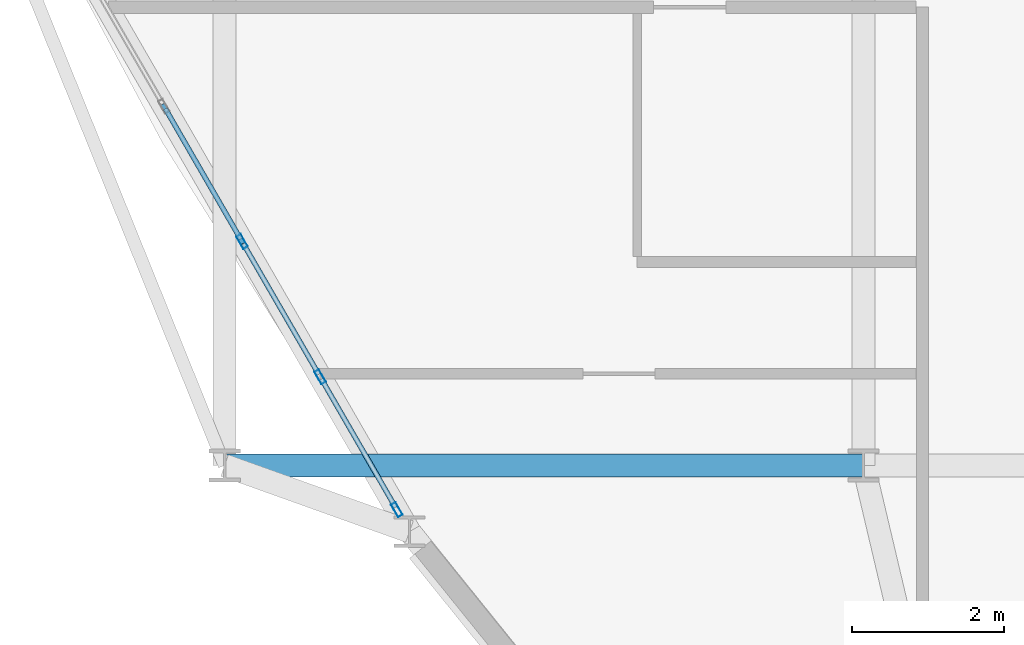
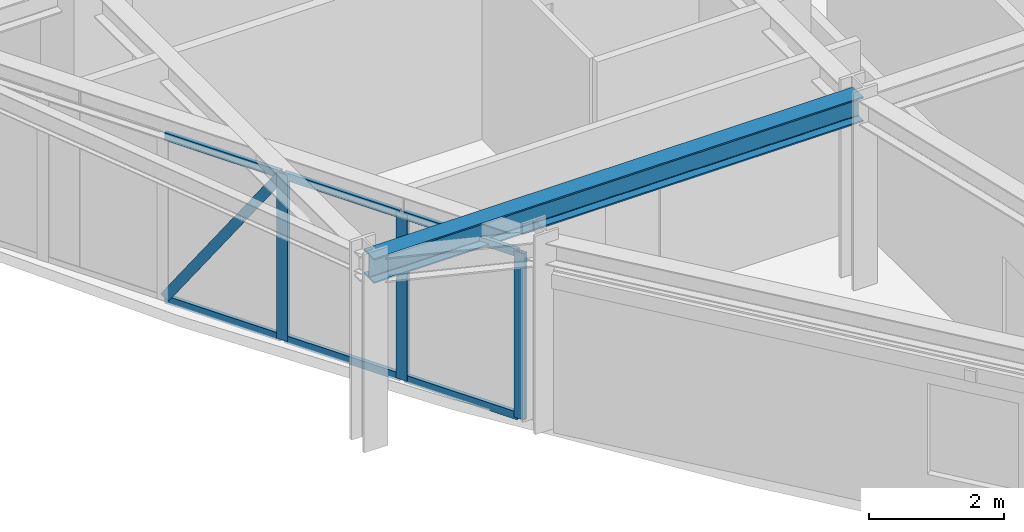
# One storey, part 2 of 16: 10 members, 1 beam, 1 element without a shape of its own.
"""IFC4 building model written with IfcOpenShell, lengths in metres."""

from ifc_helpers import new_model, si_unit, derived_unit, direction, frame, origin, origin_2d, place, context, subcontext, project, spatial, hollow_rectangle, i_section, extrude, source, transform, mapped, material, layer, layer_set, material_profile, profile_set, type_object, element, aggregate, save


model = new_model("IFC4")

# Units and contexts
model_context = context("Model", 3, precision=1e-05, world=origin(), true_north=direction((0.0, 1.0)))
body_context = subcontext(model_context, "Body", "Model", "MODEL_VIEW")
ifc_project = project(units=[si_unit("LENGTHUNIT", "METRE"), si_unit("AREAUNIT", "SQUARE_METRE"), si_unit("VOLUMEUNIT", "CUBIC_METRE"), si_unit("PLANEANGLEUNIT", "RADIAN"), si_unit("MASSUNIT", "GRAM", prefix="KILO"), derived_unit("THERMALTRANSMITTANCEUNIT", [(si_unit("POWERUNIT", "WATT"), 1), (si_unit("LENGTHUNIT", "METRE"), -2), (si_unit("THERMODYNAMICTEMPERATUREUNIT", "KELVIN"), -1)])], contexts=[model_context])

# Site, building, storey
site_placement = place(None, origin())
site = spatial("IfcSite", under=ifc_project, at=site_placement, CompositionType="ELEMENT")
building_placement = place(site_placement, origin())
building = spatial("IfcBuilding", under=site, at=building_placement, Name="Korsvarv Bourse and Concert Hall", CompositionType="ELEMENT")
storey_placement = place(building_placement, frame((0.0, 0.0, 231.0)))
storey = spatial("IfcBuildingStorey", under=building, at=storey_placement, Name="L60", CompositionType="ELEMENT", Elevation=231.0)

# Beam
ifc_material_1 = material(Name="Steel S355", Category="steel")
ifc_material_profile_1 = material_profile(ifc_material_1, i_section(OverallWidth=0.300048828125, OverallDepth=0.449951171875, WebThickness=0.013916015625, FlangeThickness=0.02587890625, FilletRadius=0.02099609375, at=origin_2d()), Name="HEB 450")
ifc_profile_set_1 = profile_set([ifc_material_profile_1], Name="Steel S355")
beam_type = type_object("IfcBeamType", Name="BM-HEB450", PredefinedType="SPANDREL", material=ifc_profile_set_1)
shared_shape_1 = source(origin(), body_context, "Body", "SweptSolid", [
    extrude(i_section(OverallWidth=0.300048828125, OverallDepth=0.449951171875, WebThickness=0.013916015625, FlangeThickness=0.02587890625, FilletRadius=0.02099609375, at=origin_2d()), origin(), (0.0, 0.0, 1.0), 8.39990234375),
])
beam_placement = place(storey_placement, frame((27.60009765625, 24.0, 3.18505859375), z_axis=(1.0, 0.0, 0.0), x_axis=(0.0, 1.0, 0.0)))
element("IfcBeam", 1, at=beam_placement, inside=storey, type_object=beam_type, Name="L60 beam B-08", PredefinedType="SPANDREL", context=body_context, shape_type="MappedRepresentation", body=[
    mapped(shared_shape_1, transform((0.0, 0.0, 0.0), scale=1.0)),
])

# Curtain wall, members
ifc_material_2 = material(Name="Anodised aluminium and triple low-E glazing", Category="glass")
ifc_layer = layer(ifc_material_2, 0.199951171875)
ifc_layer_set = layer_set([ifc_layer], Name="Anodised aluminium and triple low-E glazing")
curtain_wall_type = type_object("IfcCurtainWallType", Name="CW-SYS-3", PredefinedType="NOTDEFINED", material=ifc_layer_set)
curtain_wall_placement = place(storey_placement, origin())
curtain_wall = element("IfcCurtainWall", 2, at=curtain_wall_placement, inside=storey, type_object=curtain_wall_type, Name="L60 CW3 curtain wall CW-L60-F07-2", PredefinedType="NOTDEFINED")
ifc_material_3 = material(Name="Extruded aluminium EN AW-6063 T66", Category="aluminium")
ifc_material_profile_2 = material_profile(ifc_material_3, hollow_rectangle(XDim=0.070068359375, YDim=0.18994140625, WallThickness=0.0048828125, at=origin_2d()), Name="ALU-M 70x190")
ifc_profile_set_2 = profile_set([ifc_material_profile_2], Name="Extruded aluminium EN AW-6063 T66")
member_type_1 = type_object("IfcMemberType", Name="CWM-190", PredefinedType="MULLION", material=ifc_profile_set_2)
shared_shape_2 = source(origin(), body_context, "Body", "SweptSolid", [
    extrude(hollow_rectangle(XDim=0.070068359375, YDim=0.18994140625, WallThickness=0.0048828125, at=origin_2d()), origin(), (0.0, 0.0, 1.0), 3.02001953125),
])
member_1_placement = place(storey_placement, frame((27.82958984375, 26.94384765625, 0.0), z_axis=(0.0, 0.0, 1.0), x_axis=(0.866025472463, 0.499999881045, 0.0)))
member_1 = element("IfcMember", 3, at=member_1_placement, type_object=member_type_1, Name="CW3 mullion 4", PredefinedType="MULLION", context=body_context, shape_type="MappedRepresentation", body=[
    mapped(shared_shape_2, transform((0.0, 0.0, 0.0), scale=1.0)),
])
member_2_placement = place(storey_placement, frame((28.856201171875, 25.165771484375, 0.0), z_axis=(0.0, 0.0, 1.0), x_axis=(0.866025472463, 0.499999881045, 0.0)))
member_2 = element("IfcMember", 4, at=member_2_placement, type_object=member_type_1, Name="CW3 mullion 5", PredefinedType="MULLION", context=body_context, shape_type="MappedRepresentation", body=[
    mapped(shared_shape_2, transform((0.0, 0.0, 0.0), scale=1.0)),
])
member_3_placement = place(storey_placement, frame((29.865234375, 23.418212890625, 0.0), z_axis=(0.0, 0.0, 1.0), x_axis=(0.866025472463, 0.499999881045, 0.0)))
member_3 = element("IfcMember", 5, at=member_3_placement, type_object=member_type_1, Name="CW3 mullion 6", PredefinedType="MULLION", context=body_context, shape_type="MappedRepresentation", body=[
    mapped(shared_shape_2, transform((0.0, 0.0, 0.0), scale=1.0)),
])
ifc_material_profile_3 = material_profile(ifc_material_3, hollow_rectangle(XDim=0.06494140625, YDim=0.139892578125, WallThickness=0.00390625, at=origin_2d()), Name="ALU-T 65x140")
ifc_profile_set_3 = profile_set([ifc_material_profile_3], Name="Extruded aluminium EN AW-6063 T66")
member_type_2 = type_object("IfcMemberType", Name="CWT-140", PredefinedType="USERDEFINED", material=ifc_profile_set_3)
shared_shape_3 = source(origin(), body_context, "Body", "SweptSolid", [
    extrude(hollow_rectangle(XDim=0.06494140625, YDim=0.139892578125, WallThickness=0.00390625, at=origin_2d()), origin(), (0.0, 0.0, 1.0), 1.947998046875),
])
member_4_placement = place(storey_placement, frame((28.873779296875, 25.135498046875, 0.032470703125), z_axis=(0.499953905513, -0.866052014814, 0.0), x_axis=(0.866052014814, 0.499953905513, 0.0)))
member_4 = element("IfcMember", 6, at=member_4_placement, type_object=member_type_2, Name="CW3 transom 5.1", ObjectType="TRANSOM", PredefinedType="USERDEFINED", context=body_context, shape_type="MappedRepresentation", body=[
    mapped(shared_shape_3, transform((0.0, 0.0, 0.0), scale=1.0)),
])
member_5_placement = place(storey_placement, frame((28.873779296875, 25.135498046875, 2.987548828125), z_axis=(0.499953905513, -0.866052014814, 0.0), x_axis=(0.866052014814, 0.499953905513, 0.0)))
member_5 = element("IfcMember", 7, at=member_5_placement, type_object=member_type_2, Name="CW3 transom 5.2", ObjectType="TRANSOM", PredefinedType="USERDEFINED", context=body_context, shape_type="MappedRepresentation", body=[
    mapped(shared_shape_3, transform((0.0, 0.0, 0.0), scale=1.0)),
])
shared_shape_4 = source(origin(), body_context, "Body", "SweptSolid", [
    extrude(hollow_rectangle(XDim=0.06494140625, YDim=0.139892578125, WallThickness=0.00390625, at=origin_2d()), origin(), (0.0, 0.0, 1.0), 1.983154296875),
])
member_6_placement = place(storey_placement, frame((26.820556640625, 28.691650390625, 0.032470703125), z_axis=(0.499939139662, -0.866060538666, 0.0), x_axis=(0.866060538666, 0.499939139662, 0.0)))
member_6 = element("IfcMember", 8, at=member_6_placement, type_object=member_type_2, Name="CW3 transom 3.1", ObjectType="TRANSOM", PredefinedType="USERDEFINED", context=body_context, shape_type="MappedRepresentation", body=[
    mapped(shared_shape_4, transform((0.0, 0.0, 0.0), scale=1.0)),
])
member_7_placement = place(storey_placement, frame((26.820556640625, 28.691650390625, 2.987548828125), z_axis=(0.499939139662, -0.866060538666, 0.0), x_axis=(0.866060538666, 0.499939139662, 0.0)))
member_7 = element("IfcMember", 9, at=member_7_placement, type_object=member_type_2, Name="CW3 transom 3.2", ObjectType="TRANSOM", PredefinedType="USERDEFINED", context=body_context, shape_type="MappedRepresentation", body=[
    mapped(shared_shape_4, transform((0.0, 0.0, 0.0), scale=1.0)),
])
member_8_placement = place(storey_placement, frame((27.84716796875, 26.91357421875, 0.032470703125), z_axis=(0.499939139662, -0.866060538666, 0.0), x_axis=(0.866060538666, 0.499939139662, 0.0)))
member_8 = element("IfcMember", 10, at=member_8_placement, type_object=member_type_2, Name="CW3 transom 4.1", ObjectType="TRANSOM", PredefinedType="USERDEFINED", context=body_context, shape_type="MappedRepresentation", body=[
    mapped(shared_shape_4, transform((0.0, 0.0, 0.0), scale=1.0)),
])
member_9_placement = place(storey_placement, frame((27.84716796875, 26.91357421875, 2.987548828125), z_axis=(0.499939139662, -0.866060538666, 0.0), x_axis=(0.866060538666, 0.499939139662, 0.0)))
member_9 = element("IfcMember", 11, at=member_9_placement, type_object=member_type_2, Name="CW3 transom 4.2", ObjectType="TRANSOM", PredefinedType="USERDEFINED", context=body_context, shape_type="MappedRepresentation", body=[
    mapped(shared_shape_4, transform((0.0, 0.0, 0.0), scale=1.0)),
])
ifc_material_profile_4 = material_profile(ifc_material_3, hollow_rectangle(XDim=0.06494140625, YDim=0.1650390625, WallThickness=0.0048828125, at=origin_2d()), Name="ALU-M 65x165")
ifc_profile_set_4 = profile_set([ifc_material_profile_4], Name="Extruded aluminium EN AW-6063 T66")
member_type_3 = type_object("IfcMemberType", Name="CWM-165", PredefinedType="MULLION", material=ifc_profile_set_4)
shared_shape_5 = source(origin(), body_context, "Body", "SweptSolid", [
    extrude(hollow_rectangle(XDim=0.06494140625, YDim=0.1650390625, WallThickness=0.0048828125, at=origin_2d()), origin(), (0.0, 0.0, 1.0), 3.505126953125),
])
member_10_placement = place(storey_placement, frame((26.820556640625, 28.691650390625, 0.06494140625), z_axis=(0.282860085906, -0.490007560785, 0.824550036186), x_axis=(0.866060538666, 0.499939139662, 0.0)))
member_10 = element("IfcMember", 12, at=member_10_placement, type_object=member_type_3, Name="CW3 diagonal mullion 3", PredefinedType="MULLION", context=body_context, shape_type="MappedRepresentation", body=[
    mapped(shared_shape_5, transform((0.0, 0.0, 0.0), scale=1.0)),
])
aggregate(curtain_wall, [member_1, member_2, member_3, member_6, member_7, member_10, member_8, member_9, member_4, member_5])

save(model, "model.ifc")
